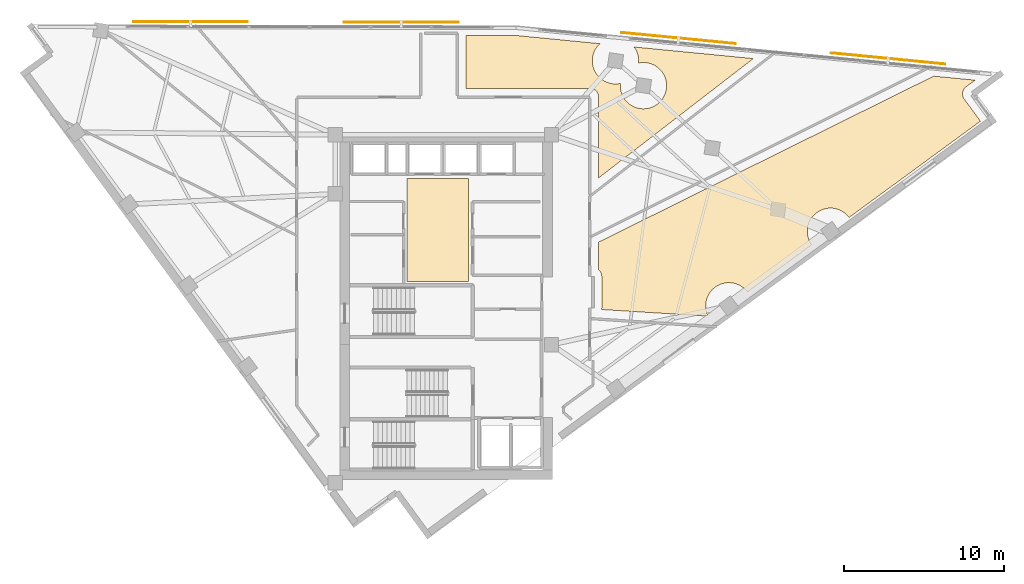
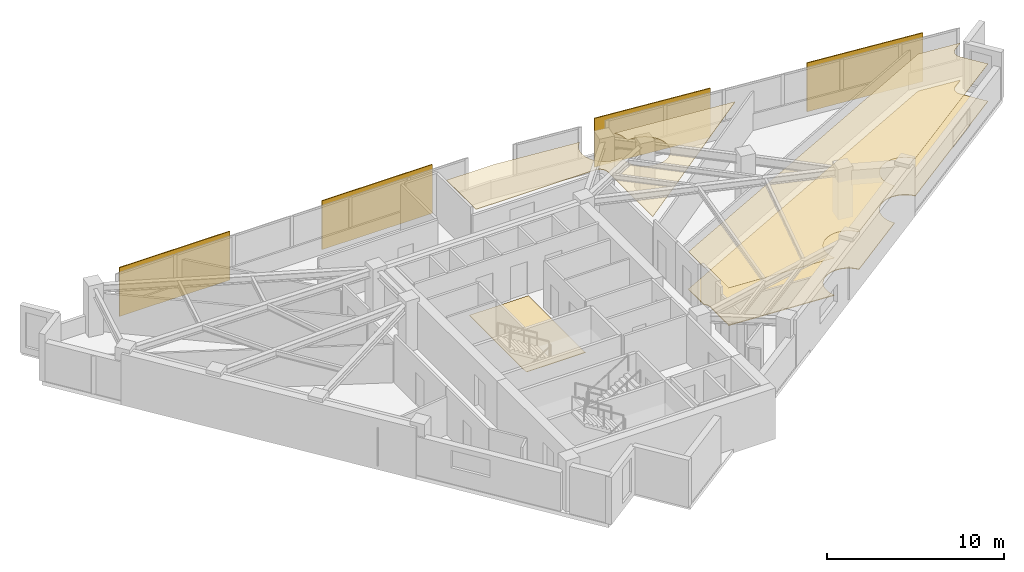
# One storey, part 13 of 13: 4 coverings, 4 shading devices.
"""IFC4 building model written with IfcOpenShell, lengths in metres."""

from ifc_helpers import new_model, si_unit, direction, frame, origin, origin_2d, place, context, subcontext, project, spatial, polyline, rectangle, outline, extrude, material, layer, layer_set, type_object, element, save


model = new_model("IFC4")

# Units and contexts
model_context = context("Model", 3, precision=1e-05, world=origin(), true_north=direction((0.0, 1.0)))
body_context = subcontext(model_context, "Body", "Model", "MODEL_VIEW")
ifc_project = project(units=[si_unit("LENGTHUNIT", "METRE"), si_unit("AREAUNIT", "SQUARE_METRE"), si_unit("VOLUMEUNIT", "CUBIC_METRE"), si_unit("PLANEANGLEUNIT", "RADIAN"), si_unit("MASSUNIT", "GRAM", prefix="KILO")], contexts=[model_context])

# Site, building, storey
site_placement = place(None, origin())
site = spatial("IfcSite", under=ifc_project, at=site_placement, CompositionType="ELEMENT")
building_placement = place(site_placement, origin())
building = spatial("IfcBuilding", under=site, at=building_placement, Name="Narakoshi Arena Tower", CompositionType="ELEMENT")
storey_placement = place(building_placement, frame((0.0, 0.0, 243.139892578125)))
storey = spatial("IfcBuildingStorey", under=building, at=storey_placement, Name="L66", CompositionType="ELEMENT", Elevation=243.139892578125)

# Coverings
ifc_material_1 = material(Name="Acoustic mineral-fibre ceiling tile")
ifc_layer_1 = layer(ifc_material_1, 0.02001953125)
ifc_layer_set_1 = layer_set([ifc_layer_1], Name="Acoustic mineral-fibre ceiling tile")
covering_type_1 = type_object("IfcCoveringType", Name="COV-CLG-AC20", PredefinedType="CEILING", material=ifc_layer_set_1)
covering_1_placement = place(storey_placement, frame((0.0, 0.0, 2.590087890625)))
element("IfcCovering", 1, at=covering_1_placement, inside=storey, type_object=covering_type_1, Name="L66 Suspended Acoustic Ceiling 1", PredefinedType="CEILING", context=body_context, shape_type="SweptSolid", body=[
    extrude(outline(polyline([(88.50537109375, 49.779296875), (109.49560546875, 60.174560546875), (112.09228515625, 59.921875), (111.5283203125, 59.50830078125), (111.486328125, 59.474365234375), (111.447998046875, 59.436279296875), (111.41357421875, 59.394775390625), (111.38330078125, 59.35009765625), (111.357666015625, 59.302734375), (111.336669921875, 59.2529296875), (111.32080078125, 59.201416015625), (111.309814453125, 59.1484375), (111.30419921875, 59.0947265625), (111.303955078125, 59.040771484375), (111.30908203125, 58.987060546875), (111.3193359375, 58.93408203125), (111.334716796875, 58.88232421875), (111.35498046875, 58.83251953125), (111.380126953125, 58.78466796875), (111.409912109375, 58.739501953125), (112.426025390625, 57.353515625), (104.194580078125, 51.318115234375), (104.1533203125, 51.37353515625), (104.057861328125, 51.47900390625), (103.952392578125, 51.574462890625), (103.838134765625, 51.6591796875), (103.716064453125, 51.732421875), (103.58740234375, 51.793212890625), (103.453369140625, 51.84130859375), (103.3154296875, 51.875732421875), (103.174560546875, 51.896484375), (103.032470703125, 51.903564453125), (102.890380859375, 51.896484375), (102.74951171875, 51.875732421875), (102.611572265625, 51.84130859375), (102.4775390625, 51.793212890625), (102.34912109375, 51.732421875), (102.226806640625, 51.6591796875), (102.112548828125, 51.574462890625), (102.007080078125, 51.47900390625), (101.91162109375, 51.37353515625), (101.826904296875, 51.25927734375), (101.753662109375, 51.13720703125), (101.69287109375, 51.008544921875), (101.64501953125, 50.87451171875), (101.6103515625, 50.736572265625), (101.589599609375, 50.595703125), (101.58251953125, 50.45361328125), (101.589599609375, 50.3115234375), (101.6103515625, 50.170654296875), (101.64501953125, 50.03271484375), (101.69287109375, 49.898681640625), (101.753662109375, 49.77001953125), (101.826904296875, 49.64794921875), (101.858642578125, 49.605224609375), (97.825439453125, 46.64794921875), (97.7841796875, 46.703369140625), (97.688720703125, 46.808837890625), (97.583251953125, 46.904296875), (97.468994140625, 46.989013671875), (97.346923828125, 47.062255859375), (97.21826171875, 47.123046875), (97.084228515625, 47.171142578125), (96.9462890625, 47.20556640625), (96.805419921875, 47.2265625), (96.663330078125, 47.2333984375), (96.521240234375, 47.2265625), (96.380615234375, 47.20556640625), (96.242431640625, 47.171142578125), (96.1083984375, 47.123046875), (95.97998046875, 47.062255859375), (95.85791015625, 46.989013671875), (95.743408203125, 46.904296875), (95.63818359375, 46.808837890625), (95.54248046875, 46.703369140625), (95.457763671875, 46.589111328125), (95.384521484375, 46.467041015625), (95.32373046875, 46.33837890625), (95.27587890625, 46.204345703125), (95.2412109375, 46.06640625), (95.220458984375, 45.925537109375), (95.21337890625, 45.783447265625), (95.220458984375, 45.641357421875), (95.2412109375, 45.50048828125), (95.27587890625, 45.362548828125), (95.32373046875, 45.228515625), (95.367919921875, 45.13525390625), (88.6904296875, 45.549560546875), (88.697509765625, 45.59619140625), (88.699951171875, 45.64990234375), (88.699951171875, 47.6201171875), (88.697509765625, 47.673828125), (88.689453125, 47.727294921875), (88.67626953125, 47.77978515625), (88.658203125, 47.83056640625), (88.635009765625, 47.87939453125), (88.607421875, 47.925537109375), (88.5751953125, 47.968994140625), (88.538818359375, 48.0087890625), (88.50537109375, 48.039306640625), (88.50537109375, 49.779296875)])), origin(), (0.0, 0.0, 1.0), 0.02001953125),
])
ifc_material_2 = material(Name="Slatted oak acoustic timber baffle", Category="wood")
ifc_layer_2 = layer(ifc_material_2, 0.034912109375)
ifc_layer_set_2 = layer_set([ifc_layer_2], Name="Slatted oak acoustic timber baffle")
covering_type_2 = type_object("IfcCoveringType", Name="COV-CLG-WD35", PredefinedType="CEILING", material=ifc_layer_set_2)
covering_2_placement = place(storey_placement, frame((0.0, 0.0, 2.5751953125)))
element("IfcCovering", 2, at=covering_2_placement, inside=storey, type_object=covering_type_2, Name="L66 Suspended Acoustic Ceiling 2", PredefinedType="CEILING", context=body_context, shape_type="SweptSolid", body=[
    extrude(outline(polyline([(83.30126953125, 62.723388671875), (88.590087890625, 62.208740234375), (88.536376953125, 62.159912109375), (88.440673828125, 62.0546875), (88.35595703125, 61.940185546875), (88.28271484375, 61.818115234375), (88.221923828125, 61.689697265625), (88.174072265625, 61.5556640625), (88.139404296875, 61.41748046875), (88.11865234375, 61.27685546875), (88.111572265625, 61.134765625), (88.11865234375, 60.99267578125), (88.139404296875, 60.851806640625), (88.174072265625, 60.7138671875), (88.221923828125, 60.579833984375), (88.28271484375, 60.451171875), (88.35595703125, 60.3291015625), (88.440673828125, 60.21484375), (88.536376953125, 60.109375), (88.6416015625, 60.013916015625), (88.756103515625, 59.92919921875), (88.878173828125, 59.85595703125), (89.006591796875, 59.795166015625), (89.140625, 59.7470703125), (89.27880859375, 59.712646484375), (89.41943359375, 59.691650390625), (89.5615234375, 59.684814453125), (89.70361328125, 59.691650390625), (89.844482421875, 59.712646484375), (89.868408203125, 59.718505859375), (89.868408203125, 59.718505859375), (89.861328125, 59.576416015625), (89.868408203125, 59.43408203125), (89.88916015625, 59.29345703125), (89.923583984375, 59.155517578125), (89.9716796875, 59.021484375), (90.032470703125, 58.892822265625), (90.105712890625, 58.770751953125), (90.1904296875, 58.656494140625), (90.285888671875, 58.551025390625), (90.391357421875, 58.455322265625), (90.505615234375, 58.37060546875), (90.627685546875, 58.297607421875), (90.75634765625, 58.23681640625), (90.890380859375, 58.188720703125), (91.0283203125, 58.154296875), (91.169189453125, 58.13330078125), (91.311279296875, 58.126220703125), (91.453369140625, 58.13330078125), (91.59423828125, 58.154296875), (91.732177734375, 58.188720703125), (91.8662109375, 58.23681640625), (91.994873046875, 58.297607421875), (92.116943359375, 58.37060546875), (92.231201171875, 58.455322265625), (92.336669921875, 58.551025390625), (92.43212890625, 58.656494140625), (92.516845703125, 58.770751953125), (92.590087890625, 58.892822265625), (92.65087890625, 59.021484375), (92.698974609375, 59.155517578125), (92.7333984375, 59.29345703125), (92.75439453125, 59.43408203125), (92.76123046875, 59.576416015625), (92.75439453125, 59.718505859375), (92.7333984375, 59.859130859375), (92.698974609375, 59.997314453125), (92.65087890625, 60.131103515625), (92.590087890625, 60.259765625), (92.516845703125, 60.3818359375), (92.43212890625, 60.49609375), (92.336669921875, 60.6015625), (92.231201171875, 60.697265625), (92.116943359375, 60.781982421875), (91.994873046875, 60.85498046875), (91.8662109375, 60.916015625), (91.732177734375, 60.9638671875), (91.59423828125, 60.998291015625), (91.453369140625, 61.019287109375), (91.311279296875, 61.0263671875), (91.169189453125, 61.019287109375), (91.0283203125, 60.998291015625), (91.004638671875, 60.992431640625), (91.004638671875, 60.99267578125), (91.01171875, 61.134765625), (91.004638671875, 61.27685546875), (90.983642578125, 61.41748046875), (90.94921875, 61.5556640625), (90.901123046875, 61.689697265625), (90.84033203125, 61.818115234375), (90.76708984375, 61.940185546875), (90.721923828125, 62.001220703125), (98.1962890625, 61.27392578125), (88.50537109375, 53.797607421875), (88.50537109375, 58.85546875), (88.502685546875, 58.9091796875), (88.494873046875, 58.962646484375), (88.481689453125, 59.01513671875), (88.46337890625, 59.06591796875), (88.4404296875, 59.11474609375), (88.41259765625, 59.160888671875), (88.380615234375, 59.204345703125), (88.34423828125, 59.244384765625), (88.30419921875, 59.280517578125), (88.260986328125, 59.312744140625), (88.214599609375, 59.340576171875), (88.166015625, 59.363525390625), (88.114990234375, 59.381591796875), (88.062744140625, 59.394775390625), (88.00927734375, 59.40283203125), (87.955322265625, 59.405517578125), (80.199951171875, 59.405517578125), (80.199951171875, 62.72900390625), (83.30126953125, 62.723388671875)])), origin(), (0.0, 0.0, 1.0), 0.034912109375),
])
ifc_material_3 = material(Name="Raised steel access floor panel", Category="steel")
ifc_layer_3 = layer(ifc_material_3, 0.044921875)
ifc_layer_set_3 = layer_set([ifc_layer_3], Name="Raised steel access floor panel")
covering_type_3 = type_object("IfcCoveringType", Name="COV-FLR-RF45", PredefinedType="FLOORING", material=ifc_layer_set_3)
covering_3_placement = place(storey_placement, origin())
element("IfcCovering", 3, at=covering_3_placement, inside=storey, type_object=covering_type_3, Name="L66 Raised Steel Access Floor", PredefinedType="FLOORING", context=body_context, shape_type="SweptSolid", body=[
    extrude(outline(polyline([(88.50537109375, 49.779296875), (109.49560546875, 60.174560546875), (112.09228515625, 59.921875), (111.5283203125, 59.50830078125), (111.486328125, 59.474365234375), (111.447998046875, 59.436279296875), (111.41357421875, 59.394775390625), (111.38330078125, 59.35009765625), (111.357666015625, 59.302734375), (111.336669921875, 59.2529296875), (111.32080078125, 59.201416015625), (111.309814453125, 59.1484375), (111.30419921875, 59.0947265625), (111.303955078125, 59.040771484375), (111.30908203125, 58.987060546875), (111.3193359375, 58.93408203125), (111.334716796875, 58.88232421875), (111.35498046875, 58.83251953125), (111.380126953125, 58.78466796875), (111.409912109375, 58.739501953125), (112.426025390625, 57.353515625), (104.194580078125, 51.318115234375), (104.1533203125, 51.37353515625), (104.057861328125, 51.47900390625), (103.952392578125, 51.574462890625), (103.838134765625, 51.6591796875), (103.716064453125, 51.732421875), (103.58740234375, 51.793212890625), (103.453369140625, 51.84130859375), (103.3154296875, 51.875732421875), (103.174560546875, 51.896484375), (103.032470703125, 51.903564453125), (102.890380859375, 51.896484375), (102.74951171875, 51.875732421875), (102.611572265625, 51.84130859375), (102.4775390625, 51.793212890625), (102.34912109375, 51.732421875), (102.226806640625, 51.6591796875), (102.112548828125, 51.574462890625), (102.007080078125, 51.47900390625), (101.91162109375, 51.37353515625), (101.826904296875, 51.25927734375), (101.753662109375, 51.13720703125), (101.69287109375, 51.008544921875), (101.64501953125, 50.87451171875), (101.6103515625, 50.736572265625), (101.589599609375, 50.595703125), (101.58251953125, 50.45361328125), (101.589599609375, 50.3115234375), (101.6103515625, 50.170654296875), (101.64501953125, 50.03271484375), (101.69287109375, 49.898681640625), (101.753662109375, 49.77001953125), (101.826904296875, 49.64794921875), (101.858642578125, 49.605224609375), (97.825439453125, 46.64794921875), (97.7841796875, 46.703369140625), (97.688720703125, 46.808837890625), (97.583251953125, 46.904296875), (97.468994140625, 46.989013671875), (97.346923828125, 47.062255859375), (97.21826171875, 47.123046875), (97.084228515625, 47.171142578125), (96.9462890625, 47.20556640625), (96.805419921875, 47.2265625), (96.663330078125, 47.2333984375), (96.521240234375, 47.2265625), (96.380615234375, 47.20556640625), (96.242431640625, 47.171142578125), (96.1083984375, 47.123046875), (95.97998046875, 47.062255859375), (95.85791015625, 46.989013671875), (95.743408203125, 46.904296875), (95.63818359375, 46.808837890625), (95.54248046875, 46.703369140625), (95.457763671875, 46.589111328125), (95.384521484375, 46.467041015625), (95.32373046875, 46.33837890625), (95.27587890625, 46.204345703125), (95.2412109375, 46.06640625), (95.220458984375, 45.925537109375), (95.21337890625, 45.783447265625), (95.220458984375, 45.641357421875), (95.2412109375, 45.50048828125), (95.27587890625, 45.362548828125), (95.32373046875, 45.228515625), (95.367919921875, 45.13525390625), (88.6904296875, 45.549560546875), (88.697509765625, 45.59619140625), (88.699951171875, 45.64990234375), (88.699951171875, 47.6201171875), (88.697509765625, 47.673828125), (88.689453125, 47.727294921875), (88.67626953125, 47.77978515625), (88.658203125, 47.83056640625), (88.635009765625, 47.87939453125), (88.607421875, 47.925537109375), (88.5751953125, 47.968994140625), (88.538818359375, 48.0087890625), (88.50537109375, 48.039306640625), (88.50537109375, 49.779296875)])), origin(), (0.0, 0.0, 1.0), 0.045166015625),
])
ifc_material_4 = material(Name="Honed granite stone paving", Category="masonry")
ifc_layer_4 = layer(ifc_material_4, 0.030029296875)
ifc_layer_set_4 = layer_set([ifc_layer_4], Name="Honed granite stone paving")
covering_type_4 = type_object("IfcCoveringType", Name="COV-FLR-ST30", PredefinedType="FLOORING", material=ifc_layer_set_4)
covering_4_placement = place(storey_placement, origin())
element("IfcCovering", 4, at=covering_4_placement, inside=storey, type_object=covering_type_4, Name="L66 Lift Lobby Granite Flooring", PredefinedType="FLOORING", context=body_context, shape_type="SweptSolid", body=[
    extrude(outline(polyline([(76.5, 47.300048828125), (80.35009765625, 47.300048828125), (80.35009765625, 53.75), (76.5, 53.75), (76.5, 47.300048828125)])), origin(), (0.0, 0.0, 1.0), 0.030029296875),
])

# Shading devices
ifc_material_5 = material(Name="Perforated bronze ceramic-metal composite")
ifc_layer_5 = layer(ifc_material_5, 0.06005859375)
ifc_layer_set_5 = layer_set([ifc_layer_5], Name="Perforated bronze ceramic-metal composite")
shading_device_type = type_object("IfcShadingDeviceType", Name="SHD-SCR-BRZ2", PredefinedType="USERDEFINED", material=ifc_layer_set_5)
for number, where, z_axis, x_axis, name in (
    (5, (106.64697265625, 61.275390625, 0.0), (0.0, 0.0, 1.0), (-0.995298664587, 0.096853333819, 0.0), "L66 Perforated Bronze Solar Screen 1-1"),
    (6, (93.509033203125, 62.553955078125, 0.0), (0.0, 0.0, 1.0), (-0.995298664587, 0.096853333819, 0.0), "L66 Perforated Bronze Solar Screen 1-2"),
    (7, (76.1328125, 63.556396484375, 0.0), (0.0, 0.0, 1.0), (-0.999998352629, 0.001815141425, 0.0), "L66 Perforated Bronze Solar Screen 2-1"),
    (8, (62.932861328125, 63.580322265625, 0.0), (0.0, 0.0, 1.0), (-0.999998352629, 0.001815141425, 0.0), "L66 Perforated Bronze Solar Screen 2-2"),
):
    element("IfcShadingDevice", number, at=place(storey_placement, frame(where, z_axis=z_axis, x_axis=x_axis)), inside=storey, type_object=shading_device_type, Name=name, ObjectType="SOLAR SCREEN", PredefinedType="USERDEFINED", context=body_context, shape_type="SweptSolid", body=[
        extrude(rectangle(XDim=7.199951171875, YDim=0.06005859375, at=origin_2d()), origin(), (0.0, 0.0, 1.0), 3.3701171875),
    ])

save(model, "model.ifc")
